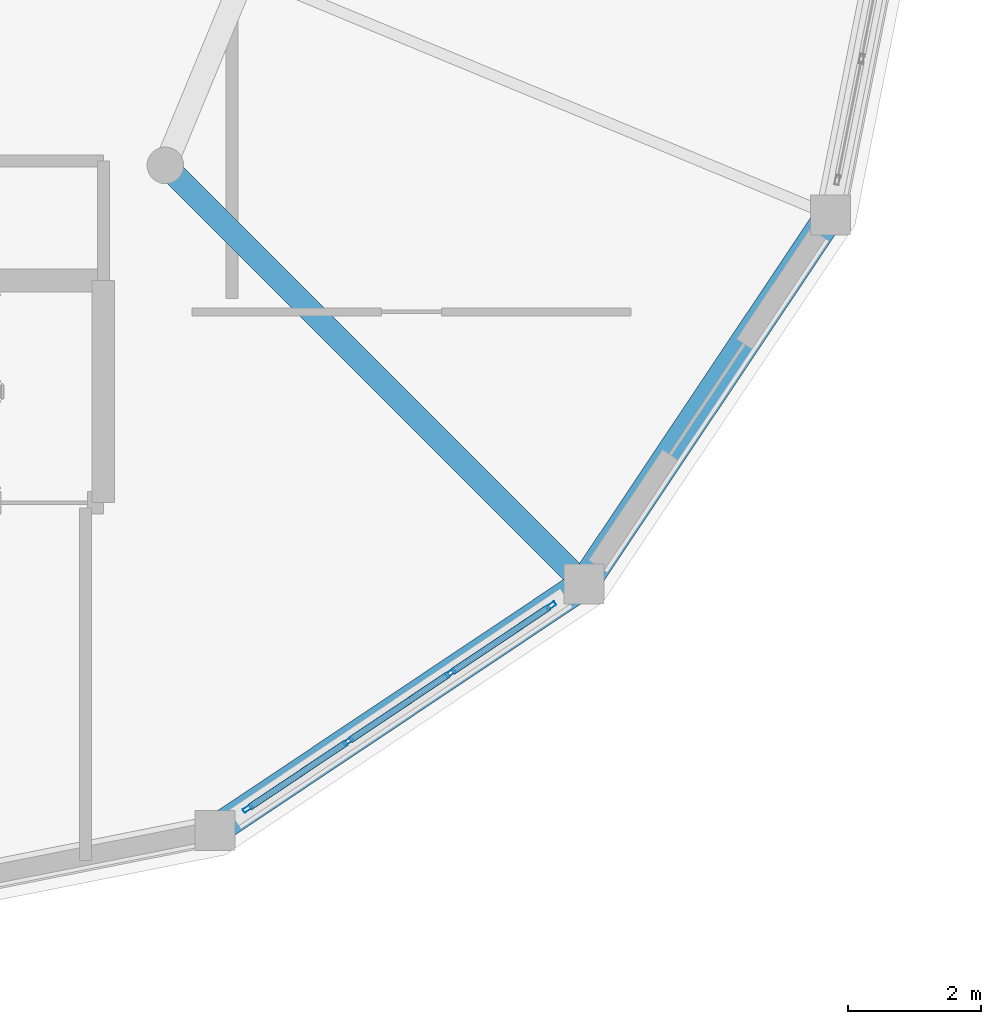
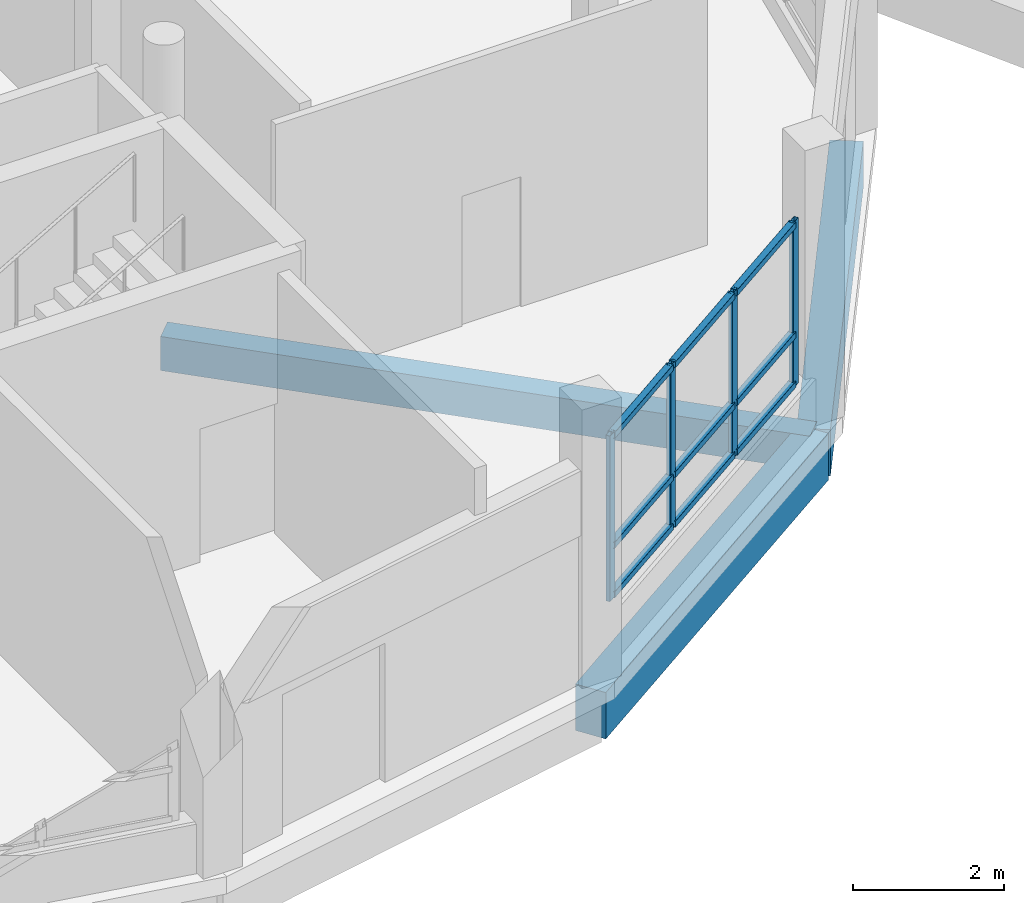
# One storey, part 67 of 129: 13 members, 3 beams, 1 element without a shape of its own.
"""IFC4 building model written with IfcOpenShell, lengths in metres."""

import ifcopenshell
import ifcopenshell.guid

model = None  # the IFC model being written
_history = None  # IfcOwnerHistory: only IFC2X3 demands one
_inside = {}  # id of a spatial element -> (the spatial element, [elements in it])
_under = {}  # id of a project, library or spatial element -> (it, [spatial elements below it])
_declared = {}  # id of a project -> (the project, [libraries it declares])
_typed = {}  # id of a type object -> (the type object, [elements of that type])
_made_of = {}  # id of a material, layer set ... -> (it, [elements and type objects made of it])


def new_model(schema):
    """Start an empty IFC model of exactly this schema.

    Asked for "IFC4X3", IfcOpenShell would pick the latest addendum, in which some entities
    have other attributes; the version numbers below select the first issue.
    IFC2X3 requires an IfcOwnerHistory on every rooted entity: one is made here for all.
    """
    global model, _history
    if schema == "IFC4X3":
        model = ifcopenshell.file(schema_version=(4, 3, 0, 0))
    else:
        model = ifcopenshell.file(schema=schema)
    _inside.clear()
    _under.clear()
    _declared.clear()
    _typed.clear()
    _made_of.clear()
    _history = None
    if model.schema == "IFC2X3":
        org = make("IfcOrganization", Name="unknown")
        user = make(
            "IfcPersonAndOrganization",
            ThePerson=make("IfcPerson", FamilyName="unknown"),
            TheOrganization=org,
        )
        app = make(
            "IfcApplication",
            ApplicationDeveloper=org,
            Version="unknown",
            ApplicationFullName="unknown",
            ApplicationIdentifier="unknown",
        )
        _history = make(
            "IfcOwnerHistory",
            OwningUser=user,
            OwningApplication=app,
            ChangeAction="ADDED",
            CreationDate=0,
        )
    return model


def make(cls, **values):
    """One entity of the class cls with the attributes given. An attribute that is None is left unset."""
    return model.create_entity(
        cls, **{name: value for name, value in values.items() if value is not None}
    )


def rooted(cls, **values):
    """An entity with a GlobalId (a new one), such as an element, a storey or a relation."""
    return make(cls, GlobalId=ifcopenshell.guid.new(), OwnerHistory=_history, **values)


def si_unit(unit_type, name, prefix=None):
    """IfcSIUnit, for example si_unit("LENGTHUNIT", "METRE", prefix="MILLI")."""
    return make("IfcSIUnit", UnitType=unit_type, Prefix=prefix, Name=name)


def assignment(units):
    """IfcUnitAssignment: the units of a project."""
    return None if units is None else make("IfcUnitAssignment", Units=units)


def point(xyz):
    """IfcCartesianPoint."""
    return None if xyz is None else make("IfcCartesianPoint", Coordinates=xyz)


def direction(xyz):
    """IfcDirection."""
    return None if xyz is None else make("IfcDirection", DirectionRatios=xyz)


def frame(location, z_axis=None, x_axis=None):
    """IfcAxis2Placement3D, a coordinate frame: its origin and axes. An axis left out is left unset."""
    return make(
        "IfcAxis2Placement3D",
        Location=point(location),
        Axis=direction(z_axis),
        RefDirection=direction(x_axis),
    )


def frame_2d(location, x_axis=None):
    """IfcAxis2Placement2D, a coordinate frame in the plane: its origin and x axis."""
    return make(
        "IfcAxis2Placement2D", Location=point(location), RefDirection=direction(x_axis)
    )


def origin():
    """The frame at (0, 0, 0) with its axes left unset."""
    return frame((0.0, 0.0, 0.0))


def origin_2d():
    """The frame at (0, 0) in the plane with its x axis left unset."""
    return frame_2d((0.0, 0.0))


def place(relative_to, where):
    """IfcLocalPlacement: puts the frame where relative to a parent placement (None: the world)."""
    return make(
        "IfcLocalPlacement", PlacementRelTo=relative_to, RelativePlacement=where
    )


def context(
    kind, dimensions, precision=None, world=None, true_north=None, identifier=None
):
    """IfcGeometricRepresentationContext, for example the 3D "Model" context."""
    return make(
        "IfcGeometricRepresentationContext",
        ContextIdentifier=identifier,
        ContextType=kind,
        CoordinateSpaceDimension=dimensions,
        Precision=precision,
        WorldCoordinateSystem=world,
        TrueNorth=true_north,
    )


def subcontext(parent, identifier, kind, view, scale=None):
    """IfcGeometricRepresentationSubContext, for example "Body" below "Model"."""
    return make(
        "IfcGeometricRepresentationSubContext",
        ContextIdentifier=identifier,
        ContextType=kind,
        ParentContext=parent,
        TargetScale=scale,
        TargetView=view,
    )


def project(units=None, contexts=None):
    """IfcProject with its units and contexts."""
    return rooted(
        "IfcProject",
        Name="project",
        RepresentationContexts=contexts,
        UnitsInContext=assignment(units),
    )


def spatial(cls, under=None, at=None, **own):
    """A site, building, storey or space (cls), placed at a placement, below another one or the project."""
    s = rooted(cls, ObjectPlacement=at, **own)
    if under is not None:
        _under.setdefault(under.id(), (under, []))[1].append(s)
    return s


def profile(cls, at=None, kind="AREA", **sizes):
    """A parametric profile (cls). Its sizes go by their IFC names, for example OverallWidth=200.0."""
    return make(cls, ProfileType=kind, Position=at, **sizes)


def rectangle(**sizes):
    """IfcRectangleProfileDef."""
    return profile("IfcRectangleProfileDef", **sizes)


def hollow_rectangle(**sizes):
    """IfcRectangleHollowProfileDef."""
    return profile("IfcRectangleHollowProfileDef", **sizes)


def extrude(swept, where, along, depth):
    """IfcExtrudedAreaSolid: the profile swept, set in the frame where, extruded along a direction by depth."""
    return make(
        "IfcExtrudedAreaSolid",
        SweptArea=swept,
        Position=where,
        ExtrudedDirection=direction(along),
        Depth=depth,
    )


def shape(context_of_items, identifier, shape_type, items):
    """IfcShapeRepresentation: the items that make up one representation, for example the "Body"."""
    return make(
        "IfcShapeRepresentation",
        ContextOfItems=context_of_items,
        RepresentationIdentifier=identifier,
        RepresentationType=shape_type,
        Items=items,
    )


def material(Name=None, Category=None):
    """IfcMaterial."""
    return make("IfcMaterial", Name=Name, Category=Category)


def layer(
    of_material, thickness, ventilated=None, Name=None, Category=None, Priority=None
):
    """IfcMaterialLayer: one layer of a wall or slab, of a material (None: an air gap)."""
    return make(
        "IfcMaterialLayer",
        Material=of_material,
        LayerThickness=thickness,
        IsVentilated=ventilated,
        Name=Name,
        Category=Category,
        Priority=Priority,
    )


def layer_set(layers, Name=None):
    """IfcMaterialLayerSet."""
    return make("IfcMaterialLayerSet", MaterialLayers=layers, LayerSetName=Name)


def material_profile(
    of_material, cross_section, Name=None, Category=None, Priority=None
):
    """IfcMaterialProfile: a cross section and its material."""
    return make(
        "IfcMaterialProfile",
        Name=Name,
        Material=of_material,
        Profile=cross_section,
        Priority=Priority,
        Category=Category,
    )


def profile_set(profiles, Name=None, composite=None):
    """IfcMaterialProfileSet."""
    return make(
        "IfcMaterialProfileSet",
        Name=Name,
        MaterialProfiles=profiles,
        CompositeProfile=composite,
    )


def made_of(thing, what):
    """Note that an element or type object is made of a material, layer set ...; save() writes the relation."""
    if what is not None:
        _made_of.setdefault(what.id(), (what, []))[1].append(thing)
    return thing


def type_object(cls, material=None, **own):
    """A type object (cls), such as IfcWallType, which elements share."""
    return made_of(rooted(cls, **own), material)


def element(
    cls,
    number,
    at=None,
    inside=None,
    cuts=None,
    type_object=None,
    material=None,
    context=None,
    identifier="Body",
    shape_type=None,
    held_by="IfcProductDefinitionShape",
    body=None,
    shapes=None,
    **own,
):
    """One element of the class cls, such as IfcWall. Its Tag is "e" and its number.

    at: its placement. inside: the storey or other place that contains it. cuts: it is an
    opening in that element (IfcRelVoidsElement). A single representation is given by context,
    identifier, shape_type and body (its items); several are given by shapes. held_by: the class
    of the entity that holds the representations. save() writes the other relations.
    """
    e = rooted(cls, Tag="e%d" % number, ObjectPlacement=at, **own)
    if body is not None:
        shapes = [shape(context, identifier, shape_type, body)]
    if shapes is not None:
        e.Representation = make(held_by, Representations=shapes)
    if inside is not None:
        _inside.setdefault(inside.id(), (inside, []))[1].append(e)
    if cuts is not None:
        rooted(
            "IfcRelVoidsElement", RelatingBuildingElement=cuts, RelatedOpeningElement=e
        )
    if type_object is not None:
        _typed.setdefault(type_object.id(), (type_object, []))[1].append(e)
    return made_of(e, material)


def aggregate(whole, parts):
    """IfcRelAggregates: a whole, such as a stair, and the parts it consists of."""
    return rooted("IfcRelAggregates", RelatingObject=whole, RelatedObjects=parts)


def save(model, path):
    """Write the relations noted so far, then the file.

    IfcRelAggregates (storeys below a building ...), IfcRelContainedInSpatialStructure (elements
    in a storey), IfcRelDefinesByType, IfcRelAssociatesMaterial and IfcRelDeclares: one each for
    every whole, place, type object, material and project.
    """
    for whole, parts in _under.values():
        aggregate(whole, parts)
    for where, things in _inside.values():
        rooted(
            "IfcRelContainedInSpatialStructure",
            RelatedElements=things,
            RelatingStructure=where,
        )
    for kind, things in _typed.values():
        rooted("IfcRelDefinesByType", RelatedObjects=things, RelatingType=kind)
    for what, things in _made_of.values():
        rooted("IfcRelAssociatesMaterial", RelatedObjects=things, RelatingMaterial=what)
    for by, libraries in _declared.values():
        rooted("IfcRelDeclares", RelatingContext=by, RelatedDefinitions=libraries)
    model.write(path)


model = new_model("IFC4")

# Units and contexts
model_context = context("Model", 3, precision=1e-05, world=origin(), true_north=direction((0.0, 1.0)))
body_context = subcontext(model_context, "Body", "Model", "MODEL_VIEW")
ifc_project = project(units=[si_unit("LENGTHUNIT", "METRE"), si_unit("AREAUNIT", "SQUARE_METRE"), si_unit("VOLUMEUNIT", "CUBIC_METRE"), si_unit("PLANEANGLEUNIT", "RADIAN"), si_unit("MASSUNIT", "GRAM", prefix="KILO")], contexts=[model_context])

# Site, building, storey
site_placement = place(None, origin())
site = spatial("IfcSite", under=ifc_project, at=site_placement, CompositionType="ELEMENT")
building_placement = place(site_placement, origin())
building = spatial("IfcBuilding", under=site, at=building_placement, Name="Vespera Passage Community Centre", CompositionType="ELEMENT")
storey_placement = place(building_placement, origin())
storey = spatial("IfcBuildingStorey", under=building, at=storey_placement, Name="L00", CompositionType="ELEMENT", Elevation=0.0)

# Beams
ifc_material_1 = material(Name="Concrete f'c 35 MPa", Category="concrete")
ifc_material_profile_1 = material_profile(ifc_material_1, rectangle(XDim=0.35009765625, YDim=0.550048828125, at=origin_2d()), Name="RC350X550")
ifc_profile_set_1 = profile_set([ifc_material_profile_1], Name="Concrete f'c 35 MPa")
beam_type_1 = type_object("IfcBeamType", Name="BM-J-350X550", PredefinedType="JOIST", material=ifc_profile_set_1)
beam_placement = place(storey_placement, frame((146.79833984375, 19.20166015625, -0.554931640625), z_axis=(0.707106781187, -0.707106781187, 0.0), x_axis=(0.707106781187, 0.707106781187, 0.0)))
element("IfcBeam", 1, at=beam_placement, inside=storey, type_object=beam_type_1, Name="V3 L00 Radial Girder 8", PredefinedType="JOIST", context=body_context, shape_type="SweptSolid", body=[
    extrude(rectangle(XDim=0.35009765625, YDim=0.550048828125, at=origin_2d()), origin(), (0.0, 0.0, 1.0), 8.89990234375),
])
ifc_material_2 = material(Name="Concrete f'c 35 MPa", Category="concrete")
ifc_material_profile_2 = material_profile(ifc_material_2, rectangle(XDim=0.449951171875, YDim=0.75, at=origin_2d()), Name="RC450X750")
ifc_profile_set_2 = profile_set([ifc_material_profile_2], Name="Concrete f'c 35 MPa")
beam_type_2 = type_object("IfcBeamType", Name="BM-SP-450X750E", PredefinedType="SPANDREL", material=ifc_profile_set_2)
for number, where, z_axis, x_axis, name in (
    (2, (147.5439453125, 9.20166015625, -0.655029296875), (0.831470004276, 0.55556964639, 0.0), (-0.55556964639, 0.831470004276, 0.0), "V3 L00 Spandrel 14"),
    (3, (153.091552734375, 12.908447265625, -0.655029296875), (0.55556964639, 0.831470004276, 0.0), (-0.831470004276, 0.55556964639, 0.0), "V3 L00 Spandrel 15"),
):
    element("IfcBeam", number, at=place(storey_placement, frame(where, z_axis=z_axis, x_axis=x_axis)), inside=storey, type_object=beam_type_2, Name=name, PredefinedType="SPANDREL", context=body_context, shape_type="SweptSolid", body=[
        extrude(rectangle(XDim=0.449951171875, YDim=0.75, at=origin_2d()), origin(), (0.0, 0.0, 1.0), 6.672119140625),
    ])

# Curtain wall, members
ifc_material_3 = material(Name="Anodized aluminium 6063-T6", Category="aluminium")
ifc_layer = layer(ifc_material_3, 0.159912109375)
ifc_layer_set = layer_set([ifc_layer], Name="Anodized aluminium 6063-T6")
curtain_wall_type = type_object("IfcCurtainWallType", Name="CW-102E", PredefinedType="NOTDEFINED", material=ifc_layer_set)
curtain_wall_placement = place(storey_placement, origin())
curtain_wall = element("IfcCurtainWall", 4, at=curtain_wall_placement, inside=storey, type_object=curtain_wall_type, Name="Dining Drum Ribbon Curtain Wall L00.14", PredefinedType="NOTDEFINED")
ifc_material_4 = material(Name="Anodized aluminium 6063-T6", Category="aluminium")
ifc_material_profile_3 = material_profile(ifc_material_4, hollow_rectangle(XDim=0.06494140625, YDim=0.14990234375, WallThickness=0.00390625, InnerFilletRadius=0.001953125, OuterFilletRadius=0.00390625, at=origin_2d()), Name="ALU150X65X4")
ifc_profile_set_3 = profile_set([ifc_material_profile_3], Name="Anodized aluminium 6063-T6")
member_type_1 = type_object("IfcMemberType", Name="MB-CWM-150E", PredefinedType="MULLION", material=ifc_profile_set_3)
member_1_placement = place(storey_placement, frame((152.59814453125, 12.578857421875, 0.800048828125), z_axis=(0.0, 0.0, 1.0), x_axis=(0.555564700918, -0.831473308708, 0.0)))
member_1 = element("IfcMember", 5, at=member_1_placement, type_object=member_type_1, Name="CW-102E mullion 1", PredefinedType="MULLION", context=body_context, shape_type="SweptSolid", body=[
    extrude(hollow_rectangle(XDim=0.06494140625, YDim=0.14990234375, WallThickness=0.00390625, InnerFilletRadius=0.001953125, OuterFilletRadius=0.00390625, at=origin_2d()), origin(), (0.0, 0.0, 1.0), 2.675048828125),
])
member_2_placement = place(storey_placement, frame((151.0869140625, 11.569091796875, 0.800048828125), z_axis=(0.0, 0.0, 1.0), x_axis=(0.555564700918, -0.831473308708, 0.0)))
member_2 = element("IfcMember", 6, at=member_2_placement, type_object=member_type_1, Name="CW-102E mullion 2", PredefinedType="MULLION", context=body_context, shape_type="SweptSolid", body=[
    extrude(hollow_rectangle(XDim=0.06494140625, YDim=0.14990234375, WallThickness=0.00390625, InnerFilletRadius=0.001953125, OuterFilletRadius=0.00390625, at=origin_2d()), origin(), (0.0, 0.0, 1.0), 2.675048828125),
])
member_3_placement = place(storey_placement, frame((149.548583984375, 10.541259765625, 0.800048828125), z_axis=(0.0, 0.0, 1.0), x_axis=(0.555564700918, -0.831473308708, 0.0)))
member_3 = element("IfcMember", 7, at=member_3_placement, type_object=member_type_1, Name="CW-102E mullion 3", PredefinedType="MULLION", context=body_context, shape_type="SweptSolid", body=[
    extrude(hollow_rectangle(XDim=0.06494140625, YDim=0.14990234375, WallThickness=0.00390625, InnerFilletRadius=0.001953125, OuterFilletRadius=0.00390625, at=origin_2d()), origin(), (0.0, 0.0, 1.0), 2.675048828125),
])
member_4_placement = place(storey_placement, frame((148.037109375, 9.53125, 0.800048828125), z_axis=(0.0, 0.0, 1.0), x_axis=(0.555564700918, -0.831473308708, 0.0)))
member_4 = element("IfcMember", 8, at=member_4_placement, type_object=member_type_1, Name="CW-102E mullion 4", PredefinedType="MULLION", context=body_context, shape_type="SweptSolid", body=[
    extrude(hollow_rectangle(XDim=0.06494140625, YDim=0.14990234375, WallThickness=0.00390625, InnerFilletRadius=0.001953125, OuterFilletRadius=0.00390625, at=origin_2d()), origin(), (0.0, 0.0, 1.0), 2.675048828125),
])
ifc_material_5 = material(Name="Anodized aluminium 6063-T6", Category="aluminium")
ifc_material_profile_4 = material_profile(ifc_material_5, hollow_rectangle(XDim=0.10009765625, YDim=0.10009765625, WallThickness=0.00390625, InnerFilletRadius=0.001953125, OuterFilletRadius=0.00390625, at=origin_2d()), Name="ALU100X100X4")
ifc_profile_set_4 = profile_set([ifc_material_profile_4], Name="Anodized aluminium 6063-T6")
member_type_2 = type_object("IfcMemberType", Name="MB-CWT-100E", PredefinedType="USERDEFINED", material=ifc_profile_set_4)
member_5_placement = place(storey_placement, frame((152.571044921875, 12.560791015625, 0.85009765625), z_axis=(-0.831492667194, -0.555535727386, 0.0), x_axis=(0.555535727386, -0.831492667194, 0.0)))
member_5 = element("IfcMember", 9, at=member_5_placement, type_object=member_type_2, Name="CW-102E transom 1.1", ObjectType="TRANSOM", PredefinedType="USERDEFINED", context=body_context, shape_type="SweptSolid", body=[
    extrude(hollow_rectangle(XDim=0.10009765625, YDim=0.10009765625, WallThickness=0.00390625, InnerFilletRadius=0.001953125, OuterFilletRadius=0.00390625, at=origin_2d()), origin(), (0.0, 0.0, 1.0), 1.752685546875),
])
member_6_placement = place(storey_placement, frame((152.571044921875, 12.560791015625, 1.64990234375), z_axis=(-0.831492667194, -0.555535727386, 0.0), x_axis=(0.555535727386, -0.831492667194, 0.0)))
member_6 = element("IfcMember", 10, at=member_6_placement, type_object=member_type_2, Name="CW-102E transom 1.2", ObjectType="TRANSOM", PredefinedType="USERDEFINED", context=body_context, shape_type="SweptSolid", body=[
    extrude(hollow_rectangle(XDim=0.10009765625, YDim=0.10009765625, WallThickness=0.00390625, InnerFilletRadius=0.001953125, OuterFilletRadius=0.00390625, at=origin_2d()), origin(), (0.0, 0.0, 1.0), 1.752685546875),
])
member_7_placement = place(storey_placement, frame((152.571044921875, 12.560791015625, 3.425048828125), z_axis=(-0.831492667194, -0.555535727386, 0.0), x_axis=(0.555535727386, -0.831492667194, 0.0)))
member_7 = element("IfcMember", 11, at=member_7_placement, type_object=member_type_2, Name="CW-102E transom 1.3", ObjectType="TRANSOM", PredefinedType="USERDEFINED", context=body_context, shape_type="SweptSolid", body=[
    extrude(hollow_rectangle(XDim=0.10009765625, YDim=0.10009765625, WallThickness=0.00390625, InnerFilletRadius=0.001953125, OuterFilletRadius=0.00390625, at=origin_2d()), origin(), (0.0, 0.0, 1.0), 1.752685546875),
])
member_8_placement = place(storey_placement, frame((151.059814453125, 11.551025390625, 0.85009765625), z_axis=(-0.831502848374, -0.555520488502, 0.0), x_axis=(0.555520488502, -0.831502848374, 0.0)))
member_8 = element("IfcMember", 12, at=member_8_placement, type_object=member_type_2, Name="CW-102E transom 2.1", ObjectType="TRANSOM", PredefinedType="USERDEFINED", context=body_context, shape_type="SweptSolid", body=[
    extrude(hollow_rectangle(XDim=0.10009765625, YDim=0.10009765625, WallThickness=0.00390625, InnerFilletRadius=0.001953125, OuterFilletRadius=0.00390625, at=origin_2d()), origin(), (0.0, 0.0, 1.0), 1.78515625),
])
member_9_placement = place(storey_placement, frame((151.059814453125, 11.551025390625, 1.64990234375), z_axis=(-0.831502848374, -0.555520488502, 0.0), x_axis=(0.555520488502, -0.831502848374, 0.0)))
member_9 = element("IfcMember", 13, at=member_9_placement, type_object=member_type_2, Name="CW-102E transom 2.2", ObjectType="TRANSOM", PredefinedType="USERDEFINED", context=body_context, shape_type="SweptSolid", body=[
    extrude(hollow_rectangle(XDim=0.10009765625, YDim=0.10009765625, WallThickness=0.00390625, InnerFilletRadius=0.001953125, OuterFilletRadius=0.00390625, at=origin_2d()), origin(), (0.0, 0.0, 1.0), 1.78515625),
])
member_10_placement = place(storey_placement, frame((151.059814453125, 11.551025390625, 3.425048828125), z_axis=(-0.831502848374, -0.555520488502, 0.0), x_axis=(0.555520488502, -0.831502848374, 0.0)))
member_10 = element("IfcMember", 14, at=member_10_placement, type_object=member_type_2, Name="CW-102E transom 2.3", ObjectType="TRANSOM", PredefinedType="USERDEFINED", context=body_context, shape_type="SweptSolid", body=[
    extrude(hollow_rectangle(XDim=0.10009765625, YDim=0.10009765625, WallThickness=0.00390625, InnerFilletRadius=0.001953125, OuterFilletRadius=0.00390625, at=origin_2d()), origin(), (0.0, 0.0, 1.0), 1.78515625),
])
member_11_placement = place(storey_placement, frame((149.521484375, 10.523193359375, 0.85009765625), z_axis=(-0.831428319751, -0.555632026719, 0.0), x_axis=(0.555632026719, -0.831428319751, 0.0)))
member_11 = element("IfcMember", 15, at=member_11_placement, type_object=member_type_2, Name="CW-102E transom 3.1", ObjectType="TRANSOM", PredefinedType="USERDEFINED", context=body_context, shape_type="SweptSolid", body=[
    extrude(hollow_rectangle(XDim=0.10009765625, YDim=0.10009765625, WallThickness=0.00390625, InnerFilletRadius=0.001953125, OuterFilletRadius=0.00390625, at=origin_2d()), origin(), (0.0, 0.0, 1.0), 1.752685546875),
])
member_12_placement = place(storey_placement, frame((149.521484375, 10.523193359375, 1.64990234375), z_axis=(-0.831428319751, -0.555632026719, 0.0), x_axis=(0.555632026719, -0.831428319751, 0.0)))
member_12 = element("IfcMember", 16, at=member_12_placement, type_object=member_type_2, Name="CW-102E transom 3.2", ObjectType="TRANSOM", PredefinedType="USERDEFINED", context=body_context, shape_type="SweptSolid", body=[
    extrude(hollow_rectangle(XDim=0.10009765625, YDim=0.10009765625, WallThickness=0.00390625, InnerFilletRadius=0.001953125, OuterFilletRadius=0.00390625, at=origin_2d()), origin(), (0.0, 0.0, 1.0), 1.752685546875),
])
member_13_placement = place(storey_placement, frame((149.521484375, 10.523193359375, 3.425048828125), z_axis=(-0.831428319751, -0.555632026719, 0.0), x_axis=(0.555632026719, -0.831428319751, 0.0)))
member_13 = element("IfcMember", 17, at=member_13_placement, type_object=member_type_2, Name="CW-102E transom 3.3", ObjectType="TRANSOM", PredefinedType="USERDEFINED", context=body_context, shape_type="SweptSolid", body=[
    extrude(hollow_rectangle(XDim=0.10009765625, YDim=0.10009765625, WallThickness=0.00390625, InnerFilletRadius=0.001953125, OuterFilletRadius=0.00390625, at=origin_2d()), origin(), (0.0, 0.0, 1.0), 1.752685546875),
])
aggregate(curtain_wall, [member_1, member_2, member_3, member_4, member_5, member_6, member_7, member_8, member_9, member_10, member_11, member_12, member_13])

save(model, "model.ifc")
